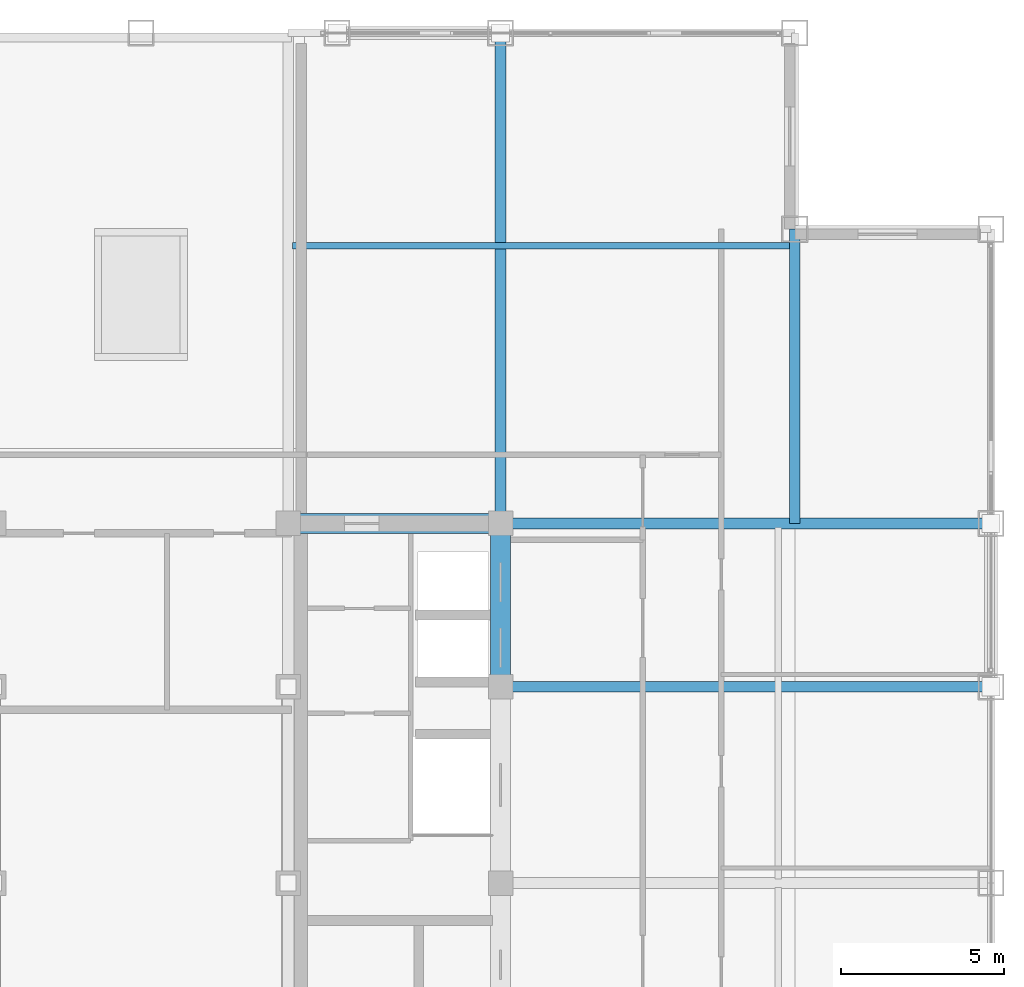
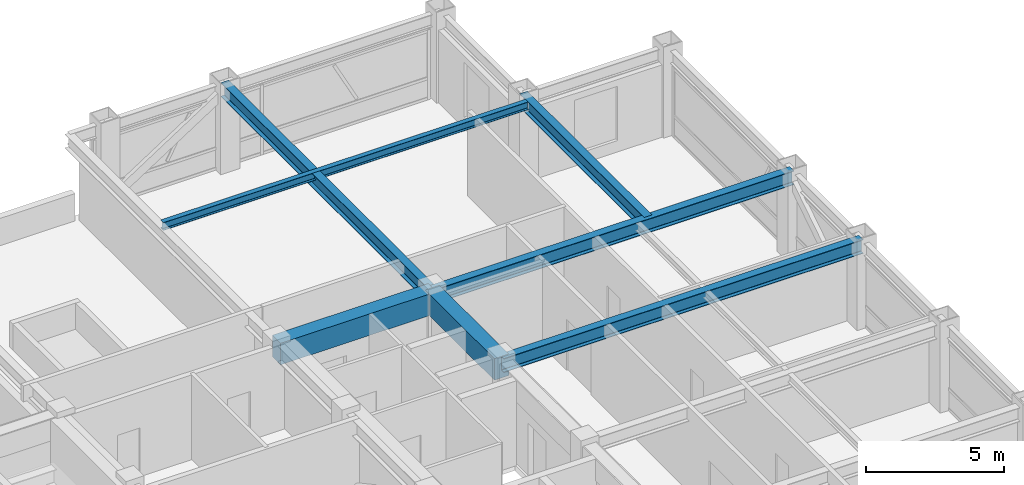
# One storey, part 21 of 29: 7 beams.
"""IFC4 building model written with IfcOpenShell, lengths in metres."""

from ifc_helpers import new_model, si_unit, direction, frame, origin, origin_2d, place, context, subcontext, project, spatial, rectangle, i_section, extrude, source, transform, mapped, material, material_profile, profile_set, type_object, element, save


model = new_model("IFC4")

# Units and contexts
model_context = context("Model", 3, precision=1e-05, world=origin(), true_north=direction((0.0, 1.0)))
body_context = subcontext(model_context, "Body", "Model", "MODEL_VIEW")
ifc_project = project(units=[si_unit("LENGTHUNIT", "METRE"), si_unit("AREAUNIT", "SQUARE_METRE"), si_unit("VOLUMEUNIT", "CUBIC_METRE"), si_unit("PLANEANGLEUNIT", "RADIAN"), si_unit("MASSUNIT", "GRAM", prefix="KILO")], contexts=[model_context])

# Site, building, storey
site_placement = place(None, origin())
site = spatial("IfcSite", under=ifc_project, at=site_placement, CompositionType="ELEMENT")
building_placement = place(site_placement, origin())
building = spatial("IfcBuilding", under=site, at=building_placement, Name="Khorayat Bourse Tower", CompositionType="ELEMENT")
storey_placement = place(building_placement, frame((0.0, 0.0, 346.300048828125)))
storey = spatial("IfcBuildingStorey", under=building, at=storey_placement, Name="L82", CompositionType="ELEMENT", Elevation=346.300048828125)

# Beams
ifc_material_1 = material(Name="Concrete C60/75", Category="concrete")
ifc_material_profile_1 = material_profile(ifc_material_1, rectangle(XDim=0.60009765625, YDim=0.949951171875, at=origin_2d()), Name="RC 600x950")
ifc_profile_set_1 = profile_set([ifc_material_profile_1], Name="Concrete C60/75")
beam_type_1 = type_object("IfcBeamType", Name="BM-COUP-950", PredefinedType="BEAM", material=ifc_profile_set_1)
shared_shape_1 = source(origin(), body_context, "Body", "SweptSolid", [
    extrude(rectangle(XDim=0.60009765625, YDim=0.949951171875, at=origin_2d()), origin(), (0.0, 0.0, 1.0), 5.0),
])
beam_1_placement = place(storey_placement, frame((11.0, 6.0, 3.264892578125), z_axis=(0.0, 1.0, 0.0), x_axis=(-1.0, 0.0, 0.0)))
element("IfcBeam", 1, at=beam_1_placement, inside=storey, type_object=beam_type_1, Name="L82 BM-COUP-950 BM-L82-CRX-16", PredefinedType="BEAM", context=body_context, shape_type="MappedRepresentation", body=[
    mapped(shared_shape_1, transform((0.0, 0.0, 0.0), scale=1.0)),
])
shared_shape_2 = source(origin(), body_context, "Body", "SweptSolid", [
    extrude(rectangle(XDim=0.60009765625, YDim=0.949951171875, at=origin_2d()), origin(), (0.0, 0.0, 1.0), 6.5),
])
beam_2_placement = place(storey_placement, frame((4.5, 11.0, 3.264892578125), z_axis=(1.0, 0.0, 0.0), x_axis=(0.0, 1.0, 0.0)))
element("IfcBeam", 2, at=beam_2_placement, inside=storey, type_object=beam_type_1, Name="L82 BM-COUP-950 BM-L82-CRY-20", PredefinedType="BEAM", context=body_context, shape_type="MappedRepresentation", body=[
    mapped(shared_shape_2, transform((0.0, 0.0, 0.0), scale=1.0)),
])
ifc_material_2 = material(Name="Steel ASTM A992 Grade 50", Category="steel")
ifc_material_profile_2 = material_profile(ifc_material_2, i_section(OverallWidth=0.324951171875, OverallDepth=0.615966796875, WebThickness=0.013916015625, FlangeThickness=0.021484375, FilletRadius=0.01611328125, at=origin_2d()), Name="W610X174")
ifc_profile_set_2 = profile_set([ifc_material_profile_2], Name="Steel ASTM A992 Grade 50")
beam_type_2 = type_object("IfcBeamType", Name="BM-GIRD-610", PredefinedType="BEAM", material=ifc_profile_set_2)
shared_shape_3 = source(origin(), body_context, "Body", "SweptSolid", [
    extrude(i_section(OverallWidth=0.324951171875, OverallDepth=0.615966796875, WebThickness=0.013916015625, FlangeThickness=0.021484375, FilletRadius=0.01611328125, at=origin_2d()), origin(), (0.0, 0.0, 1.0), 15.0),
])
for number, where, z_axis, x_axis, name in (
    (3, (11.0, 11.0, 3.431884765625), (0.0, 1.0, 0.0), (-1.0, 0.0, 0.0), "L82 BM-GIRD-610 BM-L82-RADY-059"),
    (4, (11.0, 6.0, 3.431884765625), (1.0, 0.0, 0.0), (0.0, 1.0, 0.0), "L82 BM-GIRD-610 BM-L82-RADX-067"),
    (5, (11.0, 11.0, 3.431884765625), (1.0, 0.0, 0.0), (0.0, 1.0, 0.0), "L82 BM-GIRD-610 BM-L82-RADX-069"),
):
    element("IfcBeam", number, at=place(storey_placement, frame(where, z_axis=z_axis, x_axis=x_axis)), inside=storey, type_object=beam_type_2, Name=name, PredefinedType="BEAM", context=body_context, shape_type="MappedRepresentation", body=[
        mapped(shared_shape_3, transform((0.0, 0.0, 0.0), scale=1.0)),
    ])
shared_shape_4 = source(origin(), body_context, "Body", "SweptSolid", [
    extrude(i_section(OverallWidth=0.324951171875, OverallDepth=0.615966796875, WebThickness=0.013916015625, FlangeThickness=0.021484375, FilletRadius=0.01611328125, at=origin_2d()), origin(), (0.0, 0.0, 1.0), 9.0),
])
beam_3_placement = place(storey_placement, frame((20.0, 11.0, 3.431884765625), z_axis=(0.0, 1.0, 0.0), x_axis=(-1.0, 0.0, 0.0)))
element("IfcBeam", 6, at=beam_3_placement, inside=storey, type_object=beam_type_2, Name="L82 BM-GIRD-610 BM-L82-CNRY-074", PredefinedType="BEAM", context=body_context, shape_type="MappedRepresentation", body=[
    mapped(shared_shape_4, transform((0.0, 0.0, 0.0), scale=1.0)),
])
ifc_material_profile_3 = material_profile(ifc_material_2, i_section(OverallWidth=0.202880859375, OverallDepth=0.346923828125, WebThickness=0.0078125, FlangeThickness=0.013427734375, FilletRadius=0.010009765625, at=origin_2d()), Name="W360X64")
ifc_profile_set_3 = profile_set([ifc_material_profile_3], Name="Steel ASTM A992 Grade 50")
beam_type_3 = type_object("IfcBeamType", Name="BM-JOIST-360", PredefinedType="JOIST", material=ifc_profile_set_3)
shared_shape_5 = source(origin(), body_context, "Body", "SweptSolid", [
    extrude(i_section(OverallWidth=0.202880859375, OverallDepth=0.346923828125, WebThickness=0.0078125, FlangeThickness=0.013427734375, FilletRadius=0.010009765625, at=origin_2d()), origin(), (0.0, 0.0, 1.0), 15.240234375),
])
beam_4_placement = place(storey_placement, frame((4.6298828125, 19.5, 3.56640625), z_axis=(1.0, 0.0, 0.0), x_axis=(0.0, 1.0, 0.0)))
element("IfcBeam", 7, at=beam_4_placement, inside=storey, type_object=beam_type_3, Name="L82 BM-JOIST-360 BM-L82-JSTX-078", PredefinedType="JOIST", context=body_context, shape_type="MappedRepresentation", body=[
    mapped(shared_shape_5, transform((0.0, 0.0, 0.0), scale=1.0)),
])

save(model, "model.ifc")
